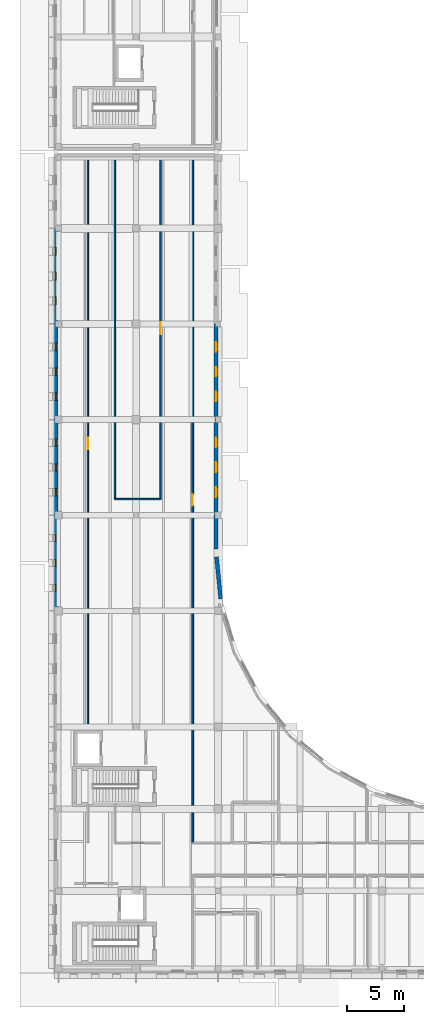
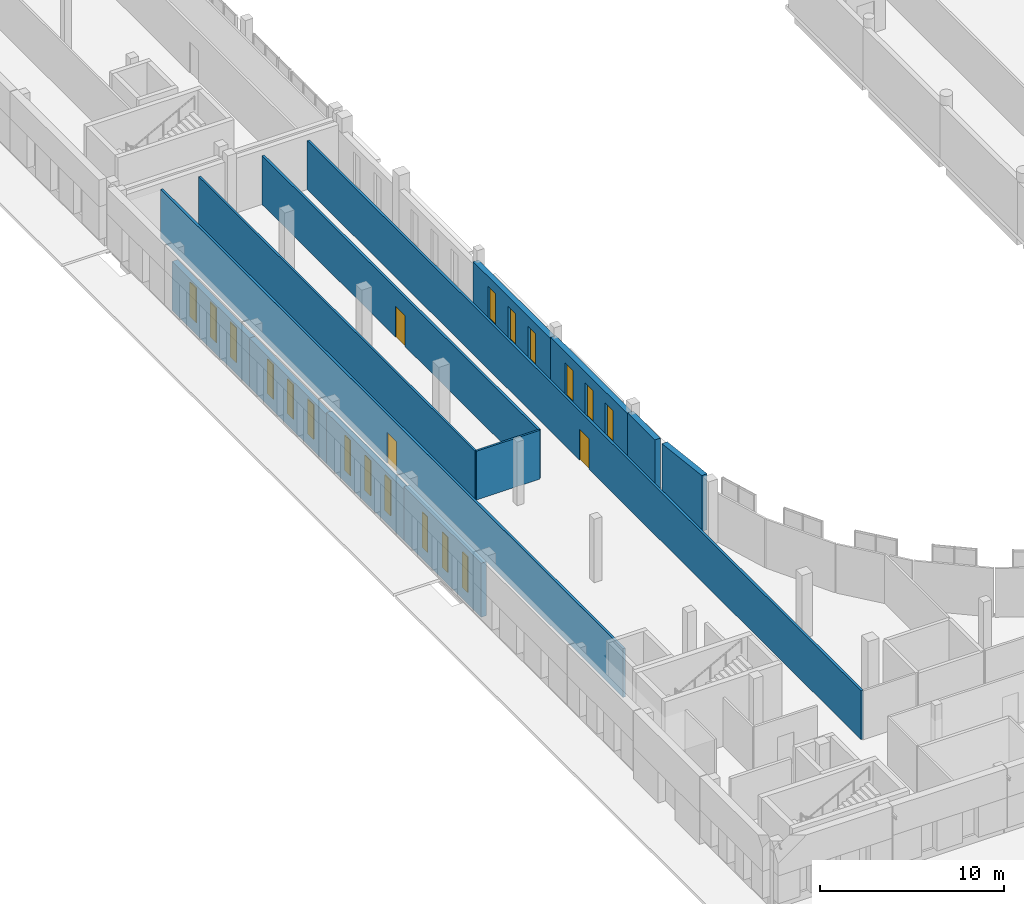
# One storey, part 51 of 77: 18 windows, 13 walls, 3 doors, 21 openings.
"""IFC4 building model written with IfcOpenShell, lengths in metres."""

import ifcopenshell
import ifcopenshell.guid

model = None  # the IFC model being written
_history = None  # IfcOwnerHistory: only IFC2X3 demands one
_inside = {}  # id of a spatial element -> (the spatial element, [elements in it])
_under = {}  # id of a project, library or spatial element -> (it, [spatial elements below it])
_declared = {}  # id of a project -> (the project, [libraries it declares])
_typed = {}  # id of a type object -> (the type object, [elements of that type])
_made_of = {}  # id of a material, layer set ... -> (it, [elements and type objects made of it])


def new_model(schema):
    """Start an empty IFC model of exactly this schema.

    Asked for "IFC4X3", IfcOpenShell would pick the latest addendum, in which some entities
    have other attributes; the version numbers below select the first issue.
    IFC2X3 requires an IfcOwnerHistory on every rooted entity: one is made here for all.
    """
    global model, _history
    if schema == "IFC4X3":
        model = ifcopenshell.file(schema_version=(4, 3, 0, 0))
    else:
        model = ifcopenshell.file(schema=schema)
    _inside.clear()
    _under.clear()
    _declared.clear()
    _typed.clear()
    _made_of.clear()
    _history = None
    if model.schema == "IFC2X3":
        org = make("IfcOrganization", Name="unknown")
        user = make(
            "IfcPersonAndOrganization",
            ThePerson=make("IfcPerson", FamilyName="unknown"),
            TheOrganization=org,
        )
        app = make(
            "IfcApplication",
            ApplicationDeveloper=org,
            Version="unknown",
            ApplicationFullName="unknown",
            ApplicationIdentifier="unknown",
        )
        _history = make(
            "IfcOwnerHistory",
            OwningUser=user,
            OwningApplication=app,
            ChangeAction="ADDED",
            CreationDate=0,
        )
    return model


def make(cls, **values):
    """One entity of the class cls with the attributes given. An attribute that is None is left unset."""
    return model.create_entity(
        cls, **{name: value for name, value in values.items() if value is not None}
    )


def rooted(cls, **values):
    """An entity with a GlobalId (a new one), such as an element, a storey or a relation."""
    return make(cls, GlobalId=ifcopenshell.guid.new(), OwnerHistory=_history, **values)


def si_unit(unit_type, name, prefix=None):
    """IfcSIUnit, for example si_unit("LENGTHUNIT", "METRE", prefix="MILLI")."""
    return make("IfcSIUnit", UnitType=unit_type, Prefix=prefix, Name=name)


def assignment(units):
    """IfcUnitAssignment: the units of a project."""
    return None if units is None else make("IfcUnitAssignment", Units=units)


def point(xyz):
    """IfcCartesianPoint."""
    return None if xyz is None else make("IfcCartesianPoint", Coordinates=xyz)


def direction(xyz):
    """IfcDirection."""
    return None if xyz is None else make("IfcDirection", DirectionRatios=xyz)


def frame(location, z_axis=None, x_axis=None):
    """IfcAxis2Placement3D, a coordinate frame: its origin and axes. An axis left out is left unset."""
    return make(
        "IfcAxis2Placement3D",
        Location=point(location),
        Axis=direction(z_axis),
        RefDirection=direction(x_axis),
    )


def frame_2d(location, x_axis=None):
    """IfcAxis2Placement2D, a coordinate frame in the plane: its origin and x axis."""
    return make(
        "IfcAxis2Placement2D", Location=point(location), RefDirection=direction(x_axis)
    )


def origin():
    """The frame at (0, 0, 0) with its axes left unset."""
    return frame((0.0, 0.0, 0.0))


def place(relative_to, where):
    """IfcLocalPlacement: puts the frame where relative to a parent placement (None: the world)."""
    return make(
        "IfcLocalPlacement", PlacementRelTo=relative_to, RelativePlacement=where
    )


def context(
    kind, dimensions, precision=None, world=None, true_north=None, identifier=None
):
    """IfcGeometricRepresentationContext, for example the 3D "Model" context."""
    return make(
        "IfcGeometricRepresentationContext",
        ContextIdentifier=identifier,
        ContextType=kind,
        CoordinateSpaceDimension=dimensions,
        Precision=precision,
        WorldCoordinateSystem=world,
        TrueNorth=true_north,
    )


def subcontext(parent, identifier, kind, view, scale=None):
    """IfcGeometricRepresentationSubContext, for example "Body" below "Model"."""
    return make(
        "IfcGeometricRepresentationSubContext",
        ContextIdentifier=identifier,
        ContextType=kind,
        ParentContext=parent,
        TargetScale=scale,
        TargetView=view,
    )


def project(units=None, contexts=None):
    """IfcProject with its units and contexts."""
    return rooted(
        "IfcProject",
        Name="project",
        RepresentationContexts=contexts,
        UnitsInContext=assignment(units),
    )


def spatial(cls, under=None, at=None, **own):
    """A site, building, storey or space (cls), placed at a placement, below another one or the project."""
    s = rooted(cls, ObjectPlacement=at, **own)
    if under is not None:
        _under.setdefault(under.id(), (under, []))[1].append(s)
    return s


def profile(cls, at=None, kind="AREA", **sizes):
    """A parametric profile (cls). Its sizes go by their IFC names, for example OverallWidth=200.0."""
    return make(cls, ProfileType=kind, Position=at, **sizes)


def rectangle(**sizes):
    """IfcRectangleProfileDef."""
    return profile("IfcRectangleProfileDef", **sizes)


def extrude(swept, where, along, depth):
    """IfcExtrudedAreaSolid: the profile swept, set in the frame where, extruded along a direction by depth."""
    return make(
        "IfcExtrudedAreaSolid",
        SweptArea=swept,
        Position=where,
        ExtrudedDirection=direction(along),
        Depth=depth,
    )


def shape(context_of_items, identifier, shape_type, items):
    """IfcShapeRepresentation: the items that make up one representation, for example the "Body"."""
    return make(
        "IfcShapeRepresentation",
        ContextOfItems=context_of_items,
        RepresentationIdentifier=identifier,
        RepresentationType=shape_type,
        Items=items,
    )


def material(Name=None, Category=None):
    """IfcMaterial."""
    return make("IfcMaterial", Name=Name, Category=Category)


def layer(
    of_material, thickness, ventilated=None, Name=None, Category=None, Priority=None
):
    """IfcMaterialLayer: one layer of a wall or slab, of a material (None: an air gap)."""
    return make(
        "IfcMaterialLayer",
        Material=of_material,
        LayerThickness=thickness,
        IsVentilated=ventilated,
        Name=Name,
        Category=Category,
        Priority=Priority,
    )


def layer_set(layers, Name=None):
    """IfcMaterialLayerSet."""
    return make("IfcMaterialLayerSet", MaterialLayers=layers, LayerSetName=Name)


def made_of(thing, what):
    """Note that an element or type object is made of a material, layer set ...; save() writes the relation."""
    if what is not None:
        _made_of.setdefault(what.id(), (what, []))[1].append(thing)
    return thing


def type_object(cls, material=None, **own):
    """A type object (cls), such as IfcWallType, which elements share."""
    return made_of(rooted(cls, **own), material)


def element(
    cls,
    number,
    at=None,
    inside=None,
    cuts=None,
    type_object=None,
    material=None,
    context=None,
    identifier="Body",
    shape_type=None,
    held_by="IfcProductDefinitionShape",
    body=None,
    shapes=None,
    **own,
):
    """One element of the class cls, such as IfcWall. Its Tag is "e" and its number.

    at: its placement. inside: the storey or other place that contains it. cuts: it is an
    opening in that element (IfcRelVoidsElement). A single representation is given by context,
    identifier, shape_type and body (its items); several are given by shapes. held_by: the class
    of the entity that holds the representations. save() writes the other relations.
    """
    e = rooted(cls, Tag="e%d" % number, ObjectPlacement=at, **own)
    if body is not None:
        shapes = [shape(context, identifier, shape_type, body)]
    if shapes is not None:
        e.Representation = make(held_by, Representations=shapes)
    if inside is not None:
        _inside.setdefault(inside.id(), (inside, []))[1].append(e)
    if cuts is not None:
        rooted(
            "IfcRelVoidsElement", RelatingBuildingElement=cuts, RelatedOpeningElement=e
        )
    if type_object is not None:
        _typed.setdefault(type_object.id(), (type_object, []))[1].append(e)
    return made_of(e, material)


def fill(opening, filler):
    """IfcRelFillsElement: the door or window that sits in an opening."""
    return rooted(
        "IfcRelFillsElement",
        RelatingOpeningElement=opening,
        RelatedBuildingElement=filler,
    )


def aggregate(whole, parts):
    """IfcRelAggregates: a whole, such as a stair, and the parts it consists of."""
    return rooted("IfcRelAggregates", RelatingObject=whole, RelatedObjects=parts)


def save(model, path):
    """Write the relations noted so far, then the file.

    IfcRelAggregates (storeys below a building ...), IfcRelContainedInSpatialStructure (elements
    in a storey), IfcRelDefinesByType, IfcRelAssociatesMaterial and IfcRelDeclares: one each for
    every whole, place, type object, material and project.
    """
    for whole, parts in _under.values():
        aggregate(whole, parts)
    for where, things in _inside.values():
        rooted(
            "IfcRelContainedInSpatialStructure",
            RelatedElements=things,
            RelatingStructure=where,
        )
    for kind, things in _typed.values():
        rooted("IfcRelDefinesByType", RelatedObjects=things, RelatingType=kind)
    for what, things in _made_of.values():
        rooted("IfcRelAssociatesMaterial", RelatedObjects=things, RelatingMaterial=what)
    for by, libraries in _declared.values():
        rooted("IfcRelDeclares", RelatingContext=by, RelatedDefinitions=libraries)
    model.write(path)


model = new_model("IFC4")

# Units and contexts
model_context = context("Model", 3, precision=1e-05, world=origin(), true_north=direction((0.0, 1.0)))
body_context = subcontext(model_context, "Body", "Model", "MODEL_VIEW")
ifc_project = project(units=[si_unit("LENGTHUNIT", "METRE"), si_unit("AREAUNIT", "SQUARE_METRE"), si_unit("VOLUMEUNIT", "CUBIC_METRE"), si_unit("PLANEANGLEUNIT", "RADIAN"), si_unit("MASSUNIT", "GRAM", prefix="KILO")], contexts=[model_context])

# Site, building, storey
site_placement = place(None, origin())
site = spatial("IfcSite", under=ifc_project, at=site_placement, CompositionType="ELEMENT")
building_placement = place(site_placement, origin())
building = spatial("IfcBuilding", under=site, at=building_placement, Name="Vardoun Plaza Health Centre", CompositionType="ELEMENT")
storey_placement = place(building_placement, origin())
storey = spatial("IfcBuildingStorey", under=building, at=storey_placement, Name="L00", CompositionType="ELEMENT", Elevation=0.0)

# Wall, openings, windows
ifc_material_1 = material(Name="Pale Limestone Concrete C35/45", Category="masonry")
ifc_layer_1 = layer(ifc_material_1, 0.344970703125)
ifc_layer_set_1 = layer_set([ifc_layer_1], Name="Pale Limestone Concrete C35/45")
wall_type_1 = type_object("IfcWallType", Name="EW-01", PredefinedType="SOLIDWALL", material=ifc_layer_set_1)
wall_1_placement = place(storey_placement, frame((18.7275390625, 61.5, 0.0), z_axis=(0.0, 0.0, 1.0), x_axis=(0.0, -1.0, 0.0)))
wall_1 = element("IfcWall", 1, at=wall_1_placement, inside=storey, type_object=wall_type_1, Name="V2 L00 Exterior Wall EW-V2-076", PredefinedType="SOLIDWALL", context=body_context, shape_type="SweptSolid", body=[
    extrude(rectangle(XDim=8.39990234375, YDim=0.344970703125, at=frame_2d((4.199951171875, 0.0))), origin(), (0.0, 0.0, 1.0), 3.405029296875),
])
opening_1_placement = place(wall_1_placement, frame((1.60595703125, 0.0, 0.550048828125)))
opening_1 = element("IfcOpeningElement", 2, at=opening_1_placement, cuts=wall_1, Name="Opening W-07-001", PredefinedType="OPENING", context=body_context, shape_type="SweptSolid", body=[
    extrude(rectangle(XDim=0.820068359375, YDim=2.199951171875, at=frame_2d((0.41015625, 1.10009765625))), frame((0.0, 0.17236328125, 0.0), z_axis=(0.0, -1.0, 0.0), x_axis=(1.0, 0.0, 0.0)), (0.0, 0.0, 1.0), 0.344970703125),
])
opening_2_placement = place(wall_1_placement, frame((3.7900390625, 0.0, 0.550048828125)))
opening_2 = element("IfcOpeningElement", 3, at=opening_2_placement, cuts=wall_1, Name="Opening W-07-002", PredefinedType="OPENING", context=body_context, shape_type="SweptSolid", body=[
    extrude(rectangle(XDim=0.820068359375, YDim=2.199951171875, at=frame_2d((0.41015625, 1.10009765625))), frame((0.0, 0.17236328125, 0.0), z_axis=(0.0, -1.0, 0.0), x_axis=(1.0, 0.0, 0.0)), (0.0, 0.0, 1.0), 0.344970703125),
])
opening_3_placement = place(wall_1_placement, frame((5.97412109375, 0.0, 0.550048828125)))
opening_3 = element("IfcOpeningElement", 4, at=opening_3_placement, cuts=wall_1, Name="Opening W-07-003", PredefinedType="OPENING", context=body_context, shape_type="SweptSolid", body=[
    extrude(rectangle(XDim=0.820068359375, YDim=2.199951171875, at=frame_2d((0.41015625, 1.10009765625))), frame((0.0, 0.17236328125, 0.0), z_axis=(0.0, -1.0, 0.0), x_axis=(1.0, 0.0, 0.0)), (0.0, 0.0, 1.0), 0.344970703125),
])
ifc_material_2 = material(Name="Aluminium Alloy EN AW-6063-T6 and Low-E Glass", Category="aluminium")
window_type_1 = type_object("IfcWindowType", Name="W-07", PartitioningType="SINGLE_PANEL", PredefinedType="WINDOW", material=ifc_material_2)
window_1_placement = place(opening_1_placement, origin())
window_1 = element("IfcWindow", 5, at=window_1_placement, inside=storey, type_object=window_type_1, Name="V2 L00 Deep-Punched Slot Window W-07-006", OverallHeight=2.199951171875, OverallWidth=0.820068359375, PartitioningType="SINGLE_PANEL", PredefinedType="WINDOW", context=body_context, shape_type="SweptSolid", body=[
    extrude(rectangle(XDim=0.820068359375, YDim=2.199951171875, at=frame_2d((0.41015625, 1.10009765625))), frame((0.0, 0.030029296875, 0.0), z_axis=(0.0, -1.0, 0.0), x_axis=(1.0, 0.0, 0.0)), (0.0, 0.0, 1.0), 0.06005859375),
])
fill(opening_1, window_1)
window_2_placement = place(opening_2_placement, origin())
window_2 = element("IfcWindow", 6, at=window_2_placement, inside=storey, type_object=window_type_1, Name="V2 L00 Deep-Punched Slot Window W-07-007", OverallHeight=2.199951171875, OverallWidth=0.820068359375, PartitioningType="SINGLE_PANEL", PredefinedType="WINDOW", context=body_context, shape_type="SweptSolid", body=[
    extrude(rectangle(XDim=0.820068359375, YDim=2.199951171875, at=frame_2d((0.41015625, 1.10009765625))), frame((0.0, 0.030029296875, 0.0), z_axis=(0.0, -1.0, 0.0), x_axis=(1.0, 0.0, 0.0)), (0.0, 0.0, 1.0), 0.06005859375),
])
fill(opening_2, window_2)
window_3_placement = place(opening_3_placement, origin())
window_3 = element("IfcWindow", 7, at=window_3_placement, inside=storey, type_object=window_type_1, Name="V2 L00 Deep-Punched Slot Window W-07-008", OverallHeight=2.199951171875, OverallWidth=0.820068359375, PartitioningType="SINGLE_PANEL", PredefinedType="WINDOW", context=body_context, shape_type="SweptSolid", body=[
    extrude(rectangle(XDim=0.820068359375, YDim=2.199951171875, at=frame_2d((0.41015625, 1.10009765625))), frame((0.0, 0.030029296875, 0.0), z_axis=(0.0, -1.0, 0.0), x_axis=(1.0, 0.0, 0.0)), (0.0, 0.0, 1.0), 0.06005859375),
])
fill(opening_3, window_3)

wall_2_placement = place(storey_placement, frame((18.7275390625, 53.10009765625, 0.0), z_axis=(0.0, 0.0, 1.0), x_axis=(0.0, -1.0, 0.0)))
wall_2 = element("IfcWall", 8, at=wall_2_placement, inside=storey, type_object=wall_type_1, Name="V2 L00 Exterior Wall EW-V2-077", PredefinedType="SOLIDWALL", context=body_context, shape_type="SweptSolid", body=[
    extrude(rectangle(XDim=8.400146484375, YDim=0.344970703125, at=frame_2d((4.2001953125, 0.0))), origin(), (0.0, 0.0, 1.0), 3.485107421875),
])
opening_4_placement = place(wall_2_placement, frame((1.5859375, 0.0, 0.550048828125)))
opening_4 = element("IfcOpeningElement", 9, at=opening_4_placement, cuts=wall_2, Name="Opening W-08-001", PredefinedType="OPENING", context=body_context, shape_type="SweptSolid", body=[
    extrude(rectangle(XDim=0.860107421875, YDim=2.199951171875, at=frame_2d((0.43017578125, 1.10009765625))), frame((0.0, 0.17236328125, 0.0), z_axis=(0.0, -1.0, 0.0), x_axis=(1.0, 0.0, 0.0)), (0.0, 0.0, 1.0), 0.344970703125),
])
opening_5_placement = place(wall_2_placement, frame((3.77001953125, 0.0, 0.550048828125)))
opening_5 = element("IfcOpeningElement", 10, at=opening_5_placement, cuts=wall_2, Name="Opening W-08-002", PredefinedType="OPENING", context=body_context, shape_type="SweptSolid", body=[
    extrude(rectangle(XDim=0.860107421875, YDim=2.199951171875, at=frame_2d((0.43017578125, 1.10009765625))), frame((0.0, 0.17236328125, 0.0), z_axis=(0.0, -1.0, 0.0), x_axis=(1.0, 0.0, 0.0)), (0.0, 0.0, 1.0), 0.344970703125),
])
opening_6_placement = place(wall_2_placement, frame((5.9541015625, 0.0, 0.550048828125)))
opening_6 = element("IfcOpeningElement", 11, at=opening_6_placement, cuts=wall_2, Name="Opening W-08-003", PredefinedType="OPENING", context=body_context, shape_type="SweptSolid", body=[
    extrude(rectangle(XDim=0.860107421875, YDim=2.199951171875, at=frame_2d((0.43017578125, 1.10009765625))), frame((0.0, 0.17236328125, 0.0), z_axis=(0.0, -1.0, 0.0), x_axis=(1.0, 0.0, 0.0)), (0.0, 0.0, 1.0), 0.344970703125),
])
ifc_material_3 = material(Name="Aluminium Alloy EN AW-6063-T6 and Low-E Glass", Category="aluminium")
window_type_2 = type_object("IfcWindowType", Name="W-08", PartitioningType="SINGLE_PANEL", PredefinedType="WINDOW", material=ifc_material_3)
window_4_placement = place(opening_4_placement, origin())
window_4 = element("IfcWindow", 12, at=window_4_placement, inside=storey, type_object=window_type_2, Name="V2 L00 Deep-Punched Slot Window W-08-009", OverallHeight=2.199951171875, OverallWidth=0.860107421875, PartitioningType="SINGLE_PANEL", PredefinedType="WINDOW", context=body_context, shape_type="SweptSolid", body=[
    extrude(rectangle(XDim=0.860107421875, YDim=2.199951171875, at=frame_2d((0.43017578125, 1.10009765625))), frame((0.0, 0.030029296875, 0.0), z_axis=(0.0, -1.0, 0.0), x_axis=(1.0, 0.0, 0.0)), (0.0, 0.0, 1.0), 0.06005859375),
])
fill(opening_4, window_4)
window_5_placement = place(opening_5_placement, origin())
window_5 = element("IfcWindow", 13, at=window_5_placement, inside=storey, type_object=window_type_2, Name="V2 L00 Deep-Punched Slot Window W-08-010", OverallHeight=2.199951171875, OverallWidth=0.860107421875, PartitioningType="SINGLE_PANEL", PredefinedType="WINDOW", context=body_context, shape_type="SweptSolid", body=[
    extrude(rectangle(XDim=0.860107421875, YDim=2.199951171875, at=frame_2d((0.43017578125, 1.10009765625))), frame((0.0, 0.030029296875, 0.0), z_axis=(0.0, -1.0, 0.0), x_axis=(1.0, 0.0, 0.0)), (0.0, 0.0, 1.0), 0.06005859375),
])
fill(opening_5, window_5)
window_6_placement = place(opening_6_placement, origin())
window_6 = element("IfcWindow", 14, at=window_6_placement, inside=storey, type_object=window_type_2, Name="V2 L00 Deep-Punched Slot Window W-08-011", OverallHeight=2.199951171875, OverallWidth=0.860107421875, PartitioningType="SINGLE_PANEL", PredefinedType="WINDOW", context=body_context, shape_type="SweptSolid", body=[
    extrude(rectangle(XDim=0.860107421875, YDim=2.199951171875, at=frame_2d((0.43017578125, 1.10009765625))), frame((0.0, 0.030029296875, 0.0), z_axis=(0.0, -1.0, 0.0), x_axis=(1.0, 0.0, 0.0)), (0.0, 0.0, 1.0), 0.06005859375),
])
fill(opening_6, window_6)

# Walls
wall_3_placement = place(storey_placement, frame((18.7275390625, 44.699951171875, 0.0), z_axis=(0.0, 0.0, 1.0), x_axis=(0.0, -1.0, 0.0)))
element("IfcWall", 15, at=wall_3_placement, inside=storey, type_object=wall_type_1, Name="V2 L00 Exterior Wall EW-V2-078", PredefinedType="SOLIDWALL", context=body_context, shape_type="SweptSolid", body=[
    extrude(rectangle(XDim=2.954833984375, YDim=0.344970703125, at=frame_2d((1.4775390625, 0.0))), origin(), (0.0, 0.0, 1.0), 3.554931640625),
])
wall_4_placement = place(storey_placement, frame((18.76220703125, 41.039794921875, 0.0), z_axis=(0.0, 0.0, 1.0), x_axis=(0.097963909948, -0.99518996797, 0.0)))
element("IfcWall", 16, at=wall_4_placement, inside=storey, type_object=wall_type_1, Name="V2 L00 Exterior Wall EW-V2-079", PredefinedType="SOLIDWALL", context=body_context, shape_type="SweptSolid", body=[
    extrude(rectangle(XDim=3.720703125, YDim=0.344970703125, at=frame_2d((1.8603515625, 0.0))), origin(), (0.0, 0.0, 1.0), 3.72509765625),
])

# Wall, openings, windows
wall_5_placement = place(storey_placement, frame((4.672607421875, 36.300048828125, 0.0), z_axis=(0.0, 0.0, 1.0), x_axis=(0.0, 1.0, 0.0)))
wall_5 = element("IfcWall", 17, at=wall_5_placement, inside=storey, type_object=wall_type_1, Name="V2 L00 Exterior Wall EW-V2-094", PredefinedType="SOLIDWALL", context=body_context, shape_type="SweptSolid", body=[
    extrude(rectangle(XDim=8.39990234375, YDim=0.344970703125, at=frame_2d((4.199951171875, 0.0))), origin(), (0.0, 0.0, 1.0), 3.5849609375),
])
opening_7_placement = place(wall_5_placement, frame((1.72607421875, 0.0, 0.550048828125)))
opening_7 = element("IfcOpeningElement", 18, at=opening_7_placement, cuts=wall_5, Name="Opening W-01-001", PredefinedType="OPENING", context=body_context, shape_type="SweptSolid", body=[
    extrude(rectangle(XDim=0.580078125, YDim=2.35009765625, at=frame_2d((0.2900390625, 1.175048828125))), frame((0.0, 0.17236328125, 0.0), z_axis=(0.0, -1.0, 0.0), x_axis=(1.0, 0.0, 0.0)), (0.0, 0.0, 1.0), 0.344970703125),
])
opening_8_placement = place(wall_5_placement, frame((3.909912109375, 0.0, 0.550048828125)))
opening_8 = element("IfcOpeningElement", 19, at=opening_8_placement, cuts=wall_5, Name="Opening W-01-002", PredefinedType="OPENING", context=body_context, shape_type="SweptSolid", body=[
    extrude(rectangle(XDim=0.580078125, YDim=2.35009765625, at=frame_2d((0.2900390625, 1.175048828125))), frame((0.0, 0.17236328125, 0.0), z_axis=(0.0, -1.0, 0.0), x_axis=(1.0, 0.0, 0.0)), (0.0, 0.0, 1.0), 0.344970703125),
])
opening_9_placement = place(wall_5_placement, frame((6.093994140625, 0.0, 0.550048828125)))
opening_9 = element("IfcOpeningElement", 20, at=opening_9_placement, cuts=wall_5, Name="Opening W-01-003", PredefinedType="OPENING", context=body_context, shape_type="SweptSolid", body=[
    extrude(rectangle(XDim=0.580078125, YDim=2.35009765625, at=frame_2d((0.2900390625, 1.175048828125))), frame((0.0, 0.17236328125, 0.0), z_axis=(0.0, -1.0, 0.0), x_axis=(1.0, 0.0, 0.0)), (0.0, 0.0, 1.0), 0.344970703125),
])
ifc_material_4 = material(Name="Aluminium Alloy EN AW-6063-T6 and Low-E Glass", Category="aluminium")
window_type_3 = type_object("IfcWindowType", Name="W-01", PartitioningType="SINGLE_PANEL", PredefinedType="WINDOW", material=ifc_material_4)
window_7_placement = place(opening_7_placement, origin())
window_7 = element("IfcWindow", 21, at=window_7_placement, inside=storey, type_object=window_type_3, Name="V2 L00 Deep-Punched Slot Window W-01-038", OverallHeight=2.35009765625, OverallWidth=0.580078125, PartitioningType="SINGLE_PANEL", PredefinedType="WINDOW", context=body_context, shape_type="SweptSolid", body=[
    extrude(rectangle(XDim=0.580078125, YDim=2.35009765625, at=frame_2d((0.2900390625, 1.175048828125))), frame((0.0, 0.030029296875, 0.0), z_axis=(0.0, -1.0, 0.0), x_axis=(1.0, 0.0, 0.0)), (0.0, 0.0, 1.0), 0.06005859375),
])
fill(opening_7, window_7)
window_8_placement = place(opening_8_placement, origin())
window_8 = element("IfcWindow", 22, at=window_8_placement, inside=storey, type_object=window_type_3, Name="V2 L00 Deep-Punched Slot Window W-01-039", OverallHeight=2.35009765625, OverallWidth=0.580078125, PartitioningType="SINGLE_PANEL", PredefinedType="WINDOW", context=body_context, shape_type="SweptSolid", body=[
    extrude(rectangle(XDim=0.580078125, YDim=2.35009765625, at=frame_2d((0.2900390625, 1.175048828125))), frame((0.0, 0.030029296875, 0.0), z_axis=(0.0, -1.0, 0.0), x_axis=(1.0, 0.0, 0.0)), (0.0, 0.0, 1.0), 0.06005859375),
])
fill(opening_8, window_8)
window_9_placement = place(opening_9_placement, origin())
window_9 = element("IfcWindow", 23, at=window_9_placement, inside=storey, type_object=window_type_3, Name="V2 L00 Deep-Punched Slot Window W-01-040", OverallHeight=2.35009765625, OverallWidth=0.580078125, PartitioningType="SINGLE_PANEL", PredefinedType="WINDOW", context=body_context, shape_type="SweptSolid", body=[
    extrude(rectangle(XDim=0.580078125, YDim=2.35009765625, at=frame_2d((0.2900390625, 1.175048828125))), frame((0.0, 0.030029296875, 0.0), z_axis=(0.0, -1.0, 0.0), x_axis=(1.0, 0.0, 0.0)), (0.0, 0.0, 1.0), 0.06005859375),
])
fill(opening_9, window_9)

wall_6_placement = place(storey_placement, frame((4.672607421875, 44.699951171875, 0.0), z_axis=(0.0, 0.0, 1.0), x_axis=(0.0, 1.0, 0.0)))
wall_6 = element("IfcWall", 24, at=wall_6_placement, inside=storey, type_object=wall_type_1, Name="V2 L00 Exterior Wall EW-V2-095", PredefinedType="SOLIDWALL", context=body_context, shape_type="SweptSolid", body=[
    extrude(rectangle(XDim=8.400146484375, YDim=0.344970703125, at=frame_2d((4.2001953125, 0.0))), origin(), (0.0, 0.0, 1.0), 3.405029296875),
])
opening_10_placement = place(wall_6_placement, frame((1.7060546875, 0.0, 0.550048828125)))
opening_10 = element("IfcOpeningElement", 25, at=opening_10_placement, cuts=wall_6, Name="Opening W-02-001", PredefinedType="OPENING", context=body_context, shape_type="SweptSolid", body=[
    extrude(rectangle(XDim=0.6201171875, YDim=2.35009765625, at=frame_2d((0.31005859375, 1.175048828125))), frame((0.0, 0.17236328125, 0.0), z_axis=(0.0, -1.0, 0.0), x_axis=(1.0, 0.0, 0.0)), (0.0, 0.0, 1.0), 0.344970703125),
])
opening_11_placement = place(wall_6_placement, frame((3.889892578125, 0.0, 0.550048828125)))
opening_11 = element("IfcOpeningElement", 26, at=opening_11_placement, cuts=wall_6, Name="Opening W-02-002", PredefinedType="OPENING", context=body_context, shape_type="SweptSolid", body=[
    extrude(rectangle(XDim=0.6201171875, YDim=2.35009765625, at=frame_2d((0.31005859375, 1.175048828125))), frame((0.0, 0.17236328125, 0.0), z_axis=(0.0, -1.0, 0.0), x_axis=(1.0, 0.0, 0.0)), (0.0, 0.0, 1.0), 0.344970703125),
])
opening_12_placement = place(wall_6_placement, frame((6.073974609375, 0.0, 0.550048828125)))
opening_12 = element("IfcOpeningElement", 27, at=opening_12_placement, cuts=wall_6, Name="Opening W-02-003", PredefinedType="OPENING", context=body_context, shape_type="SweptSolid", body=[
    extrude(rectangle(XDim=0.6201171875, YDim=2.35009765625, at=frame_2d((0.31005859375, 1.175048828125))), frame((0.0, 0.17236328125, 0.0), z_axis=(0.0, -1.0, 0.0), x_axis=(1.0, 0.0, 0.0)), (0.0, 0.0, 1.0), 0.344970703125),
])
ifc_material_5 = material(Name="Aluminium Alloy EN AW-6063-T6 and Low-E Glass", Category="aluminium")
window_type_4 = type_object("IfcWindowType", Name="W-02", PartitioningType="SINGLE_PANEL", PredefinedType="WINDOW", material=ifc_material_5)
window_10_placement = place(opening_10_placement, origin())
window_10 = element("IfcWindow", 28, at=window_10_placement, inside=storey, type_object=window_type_4, Name="V2 L00 Deep-Punched Slot Window W-02-041", OverallHeight=2.35009765625, OverallWidth=0.6201171875, PartitioningType="SINGLE_PANEL", PredefinedType="WINDOW", context=body_context, shape_type="SweptSolid", body=[
    extrude(rectangle(XDim=0.6201171875, YDim=2.35009765625, at=frame_2d((0.31005859375, 1.175048828125))), frame((0.0, 0.030029296875, 0.0), z_axis=(0.0, -1.0, 0.0), x_axis=(1.0, 0.0, 0.0)), (0.0, 0.0, 1.0), 0.06005859375),
])
fill(opening_10, window_10)
window_11_placement = place(opening_11_placement, origin())
window_11 = element("IfcWindow", 29, at=window_11_placement, inside=storey, type_object=window_type_4, Name="V2 L00 Deep-Punched Slot Window W-02-042", OverallHeight=2.35009765625, OverallWidth=0.6201171875, PartitioningType="SINGLE_PANEL", PredefinedType="WINDOW", context=body_context, shape_type="SweptSolid", body=[
    extrude(rectangle(XDim=0.6201171875, YDim=2.35009765625, at=frame_2d((0.31005859375, 1.175048828125))), frame((0.0, 0.030029296875, 0.0), z_axis=(0.0, -1.0, 0.0), x_axis=(1.0, 0.0, 0.0)), (0.0, 0.0, 1.0), 0.06005859375),
])
fill(opening_11, window_11)
window_12_placement = place(opening_12_placement, origin())
window_12 = element("IfcWindow", 30, at=window_12_placement, inside=storey, type_object=window_type_4, Name="V2 L00 Deep-Punched Slot Window W-02-043", OverallHeight=2.35009765625, OverallWidth=0.6201171875, PartitioningType="SINGLE_PANEL", PredefinedType="WINDOW", context=body_context, shape_type="SweptSolid", body=[
    extrude(rectangle(XDim=0.6201171875, YDim=2.35009765625, at=frame_2d((0.31005859375, 1.175048828125))), frame((0.0, 0.030029296875, 0.0), z_axis=(0.0, -1.0, 0.0), x_axis=(1.0, 0.0, 0.0)), (0.0, 0.0, 1.0), 0.06005859375),
])
fill(opening_12, window_12)

wall_7_placement = place(storey_placement, frame((4.672607421875, 53.10009765625, 0.0), z_axis=(0.0, 0.0, 1.0), x_axis=(0.0, 1.0, 0.0)))
wall_7 = element("IfcWall", 31, at=wall_7_placement, inside=storey, type_object=wall_type_1, Name="V2 L00 Exterior Wall EW-V2-096", PredefinedType="SOLIDWALL", context=body_context, shape_type="SweptSolid", body=[
    extrude(rectangle(XDim=8.39990234375, YDim=0.344970703125, at=frame_2d((4.199951171875, 0.0))), origin(), (0.0, 0.0, 1.0), 3.2548828125),
])
opening_13_placement = place(wall_7_placement, frame((1.68603515625, 0.0, 0.550048828125)))
opening_13 = element("IfcOpeningElement", 32, at=opening_13_placement, cuts=wall_7, Name="Opening W-03-001", PredefinedType="OPENING", context=body_context, shape_type="SweptSolid", body=[
    extrude(rectangle(XDim=0.659912109375, YDim=2.300048828125, at=frame_2d((0.330078125, 1.14990234375))), frame((0.0, 0.17236328125, 0.0), z_axis=(0.0, -1.0, 0.0), x_axis=(1.0, 0.0, 0.0)), (0.0, 0.0, 1.0), 0.344970703125),
])
opening_14_placement = place(wall_7_placement, frame((3.8701171875, 0.0, 0.550048828125)))
opening_14 = element("IfcOpeningElement", 33, at=opening_14_placement, cuts=wall_7, Name="Opening W-03-002", PredefinedType="OPENING", context=body_context, shape_type="SweptSolid", body=[
    extrude(rectangle(XDim=0.659912109375, YDim=2.300048828125, at=frame_2d((0.330078125, 1.14990234375))), frame((0.0, 0.17236328125, 0.0), z_axis=(0.0, -1.0, 0.0), x_axis=(1.0, 0.0, 0.0)), (0.0, 0.0, 1.0), 0.344970703125),
])
opening_15_placement = place(wall_7_placement, frame((6.053955078125, 0.0, 0.550048828125)))
opening_15 = element("IfcOpeningElement", 34, at=opening_15_placement, cuts=wall_7, Name="Opening W-03-003", PredefinedType="OPENING", context=body_context, shape_type="SweptSolid", body=[
    extrude(rectangle(XDim=0.659912109375, YDim=2.300048828125, at=frame_2d((0.330078125, 1.14990234375))), frame((0.0, 0.17236328125, 0.0), z_axis=(0.0, -1.0, 0.0), x_axis=(1.0, 0.0, 0.0)), (0.0, 0.0, 1.0), 0.344970703125),
])
ifc_material_6 = material(Name="Aluminium Alloy EN AW-6063-T6 and Low-E Glass", Category="aluminium")
window_type_5 = type_object("IfcWindowType", Name="W-03", PartitioningType="SINGLE_PANEL", PredefinedType="WINDOW", material=ifc_material_6)
window_13_placement = place(opening_13_placement, origin())
window_13 = element("IfcWindow", 35, at=window_13_placement, inside=storey, type_object=window_type_5, Name="V2 L00 Deep-Punched Slot Window W-03-044", OverallHeight=2.300048828125, OverallWidth=0.659912109375, PartitioningType="SINGLE_PANEL", PredefinedType="WINDOW", context=body_context, shape_type="SweptSolid", body=[
    extrude(rectangle(XDim=0.659912109375, YDim=2.300048828125, at=frame_2d((0.330078125, 1.14990234375))), frame((0.0, 0.030029296875, 0.0), z_axis=(0.0, -1.0, 0.0), x_axis=(1.0, 0.0, 0.0)), (0.0, 0.0, 1.0), 0.06005859375),
])
fill(opening_13, window_13)
window_14_placement = place(opening_14_placement, origin())
window_14 = element("IfcWindow", 36, at=window_14_placement, inside=storey, type_object=window_type_5, Name="V2 L00 Deep-Punched Slot Window W-03-045", OverallHeight=2.300048828125, OverallWidth=0.659912109375, PartitioningType="SINGLE_PANEL", PredefinedType="WINDOW", context=body_context, shape_type="SweptSolid", body=[
    extrude(rectangle(XDim=0.659912109375, YDim=2.300048828125, at=frame_2d((0.330078125, 1.14990234375))), frame((0.0, 0.030029296875, 0.0), z_axis=(0.0, -1.0, 0.0), x_axis=(1.0, 0.0, 0.0)), (0.0, 0.0, 1.0), 0.06005859375),
])
fill(opening_14, window_14)
window_15_placement = place(opening_15_placement, origin())
window_15 = element("IfcWindow", 37, at=window_15_placement, inside=storey, type_object=window_type_5, Name="V2 L00 Deep-Punched Slot Window W-03-046", OverallHeight=2.300048828125, OverallWidth=0.659912109375, PartitioningType="SINGLE_PANEL", PredefinedType="WINDOW", context=body_context, shape_type="SweptSolid", body=[
    extrude(rectangle(XDim=0.659912109375, YDim=2.300048828125, at=frame_2d((0.330078125, 1.14990234375))), frame((0.0, 0.030029296875, 0.0), z_axis=(0.0, -1.0, 0.0), x_axis=(1.0, 0.0, 0.0)), (0.0, 0.0, 1.0), 0.06005859375),
])
fill(opening_15, window_15)

wall_8_placement = place(storey_placement, frame((4.672607421875, 61.5, 0.0), z_axis=(0.0, 0.0, 1.0), x_axis=(0.0, 1.0, 0.0)))
wall_8 = element("IfcWall", 38, at=wall_8_placement, inside=storey, type_object=wall_type_1, Name="V2 L00 Exterior Wall EW-V2-097", PredefinedType="SOLIDWALL", context=body_context, shape_type="SweptSolid", body=[
    extrude(rectangle(XDim=8.39990234375, YDim=0.344970703125, at=frame_2d((4.199951171875, 0.0))), origin(), (0.0, 0.0, 1.0), 3.2548828125),
])
opening_16_placement = place(wall_8_placement, frame((1.666015625, 0.0, 0.550048828125)))
opening_16 = element("IfcOpeningElement", 39, at=opening_16_placement, cuts=wall_8, Name="Opening W-04-001", PredefinedType="OPENING", context=body_context, shape_type="SweptSolid", body=[
    extrude(rectangle(XDim=0.699951171875, YDim=2.300048828125, at=frame_2d((0.35009765625, 1.14990234375))), frame((0.0, 0.17236328125, 0.0), z_axis=(0.0, -1.0, 0.0), x_axis=(1.0, 0.0, 0.0)), (0.0, 0.0, 1.0), 0.344970703125),
])
opening_17_placement = place(wall_8_placement, frame((3.85009765625, 0.0, 0.550048828125)))
opening_17 = element("IfcOpeningElement", 40, at=opening_17_placement, cuts=wall_8, Name="Opening W-04-002", PredefinedType="OPENING", context=body_context, shape_type="SweptSolid", body=[
    extrude(rectangle(XDim=0.699951171875, YDim=2.300048828125, at=frame_2d((0.35009765625, 1.14990234375))), frame((0.0, 0.17236328125, 0.0), z_axis=(0.0, -1.0, 0.0), x_axis=(1.0, 0.0, 0.0)), (0.0, 0.0, 1.0), 0.344970703125),
])
opening_18_placement = place(wall_8_placement, frame((6.033935546875, 0.0, 0.550048828125)))
opening_18 = element("IfcOpeningElement", 41, at=opening_18_placement, cuts=wall_8, Name="Opening W-04-003", PredefinedType="OPENING", context=body_context, shape_type="SweptSolid", body=[
    extrude(rectangle(XDim=0.699951171875, YDim=2.300048828125, at=frame_2d((0.35009765625, 1.14990234375))), frame((0.0, 0.17236328125, 0.0), z_axis=(0.0, -1.0, 0.0), x_axis=(1.0, 0.0, 0.0)), (0.0, 0.0, 1.0), 0.344970703125),
])
ifc_material_7 = material(Name="Aluminium Alloy EN AW-6063-T6 and Low-E Glass", Category="aluminium")
window_type_6 = type_object("IfcWindowType", Name="W-04", PartitioningType="SINGLE_PANEL", PredefinedType="WINDOW", material=ifc_material_7)
window_16_placement = place(opening_16_placement, origin())
window_16 = element("IfcWindow", 42, at=window_16_placement, inside=storey, type_object=window_type_6, Name="V2 L00 Deep-Punched Slot Window W-04-047", OverallHeight=2.300048828125, OverallWidth=0.699951171875, PartitioningType="SINGLE_PANEL", PredefinedType="WINDOW", context=body_context, shape_type="SweptSolid", body=[
    extrude(rectangle(XDim=0.699951171875, YDim=2.300048828125, at=frame_2d((0.35009765625, 1.14990234375))), frame((0.0, 0.030029296875, 0.0), z_axis=(0.0, -1.0, 0.0), x_axis=(1.0, 0.0, 0.0)), (0.0, 0.0, 1.0), 0.06005859375),
])
fill(opening_16, window_16)
window_17_placement = place(opening_17_placement, origin())
window_17 = element("IfcWindow", 43, at=window_17_placement, inside=storey, type_object=window_type_6, Name="V2 L00 Deep-Punched Slot Window W-04-048", OverallHeight=2.300048828125, OverallWidth=0.699951171875, PartitioningType="SINGLE_PANEL", PredefinedType="WINDOW", context=body_context, shape_type="SweptSolid", body=[
    extrude(rectangle(XDim=0.699951171875, YDim=2.300048828125, at=frame_2d((0.35009765625, 1.14990234375))), frame((0.0, 0.030029296875, 0.0), z_axis=(0.0, -1.0, 0.0), x_axis=(1.0, 0.0, 0.0)), (0.0, 0.0, 1.0), 0.06005859375),
])
fill(opening_17, window_17)
window_18_placement = place(opening_18_placement, origin())
window_18 = element("IfcWindow", 44, at=window_18_placement, inside=storey, type_object=window_type_6, Name="V2 L00 Deep-Punched Slot Window W-04-049", OverallHeight=2.300048828125, OverallWidth=0.699951171875, PartitioningType="SINGLE_PANEL", PredefinedType="WINDOW", context=body_context, shape_type="SweptSolid", body=[
    extrude(rectangle(XDim=0.699951171875, YDim=2.300048828125, at=frame_2d((0.35009765625, 1.14990234375))), frame((0.0, 0.030029296875, 0.0), z_axis=(0.0, -1.0, 0.0), x_axis=(1.0, 0.0, 0.0)), (0.0, 0.0, 1.0), 0.06005859375),
])
fill(opening_18, window_18)

# Wall, opening, door
ifc_material_8 = material(Name="Acoustic Gypsum Twin-Stud", Category="steel")
ifc_layer_2 = layer(ifc_material_8, 0.14990234375)
ifc_layer_set_2 = layer_set([ifc_layer_2], Name="Acoustic Gypsum Twin-Stud")
wall_type_2 = type_object("IfcWallType", Name="IW-04", PredefinedType="PARTITIONING", material=ifc_layer_set_2)
wall_9_placement = place(storey_placement, frame((16.669921875, 15.919921875, 0.0), z_axis=(0.0, 0.0, 1.0), x_axis=(0.0, 1.0, 0.0)))
wall_9 = element("IfcWall", 45, at=wall_9_placement, inside=storey, type_object=wall_type_2, Name="GP Consulting Room 01 Partition Wall", PredefinedType="PARTITIONING", context=body_context, shape_type="SweptSolid", body=[
    extrude(rectangle(XDim=60.22998046875, YDim=0.14990234375, at=frame_2d((30.114990234375, 0.0))), origin(), (0.0, 0.0, 1.0), 3.239990234375),
])
opening_19_placement = place(wall_9_placement, frame((29.594970703125, 0.0, 0.0)))
opening_19 = element("IfcOpeningElement", 46, at=opening_19_placement, cuts=wall_9, Name="Opening D-L00-026", PredefinedType="OPENING", context=body_context, shape_type="SweptSolid", body=[
    extrude(rectangle(XDim=1.0400390625, YDim=2.050048828125, at=frame_2d((0.52001953125, 1.02490234375))), frame((0.0, 0.074951171875, 0.0), z_axis=(0.0, -1.0, 0.0), x_axis=(1.0, 0.0, 0.0)), (0.0, 0.0, 1.0), 0.14990234375),
])
ifc_material_9 = material(Name="Antimicrobial Acoustic Timber and Steel S275JR", Category="steel")
door_type_1 = type_object("IfcDoorType", Name="CD-04", OperationType="NOTDEFINED", PredefinedType="DOOR", material=ifc_material_9)
door_1_placement = place(opening_19_placement, origin())
door_1 = element("IfcDoor", 47, at=door_1_placement, inside=storey, type_object=door_type_1, Name="GP Consulting Room 01 Door D-L00-026", OperationType="SINGLE_SWING_RIGHT", OverallHeight=2.050048828125, OverallWidth=1.0400390625, PredefinedType="DOOR", context=body_context, shape_type="SweptSolid", body=[
    extrude(rectangle(XDim=1.0400390625, YDim=2.050048828125, at=frame_2d((0.52001953125, 1.02490234375))), frame((0.0, 0.02490234375, 0.0), z_axis=(0.0, -1.0, 0.0), x_axis=(1.0, 0.0, 0.0)), (0.0, 0.0, 1.0), 0.050048828125),
])
fill(opening_19, door_1)

wall_10_placement = place(storey_placement, frame((7.4599609375, 76.14990234375, 0.0), z_axis=(0.0, 0.0, 1.0), x_axis=(0.0, -1.0, 0.0)))
wall_10 = element("IfcWall", 48, at=wall_10_placement, inside=storey, type_object=wall_type_2, Name="GP Consulting Room 02 Partition Wall", PredefinedType="PARTITIONING", context=body_context, shape_type="SweptSolid", body=[
    extrude(rectangle(XDim=50.2998046875, YDim=0.14990234375, at=frame_2d((25.14990234375, 0.0))), origin(), (0.0, 0.0, 1.0), 3.239990234375),
])
opening_20_placement = place(wall_10_placement, frame((24.64990234375, 0.0, 0.0)))
opening_20 = element("IfcOpeningElement", 49, at=opening_20_placement, cuts=wall_10, Name="Opening D-L00-027", PredefinedType="OPENING", context=body_context, shape_type="SweptSolid", body=[
    extrude(rectangle(XDim=1.0, YDim=2.050048828125, at=frame_2d((0.5, 1.02490234375))), frame((0.0, 0.074951171875, 0.0), z_axis=(0.0, -1.0, 0.0), x_axis=(1.0, 0.0, 0.0)), (0.0, 0.0, 1.0), 0.14990234375),
])
ifc_material_10 = material(Name="Antimicrobial Acoustic Timber and Steel S275JR", Category="steel")
door_type_2 = type_object("IfcDoorType", Name="CD-03", OperationType="NOTDEFINED", PredefinedType="DOOR", material=ifc_material_10)
door_2_placement = place(opening_20_placement, origin())
door_2 = element("IfcDoor", 50, at=door_2_placement, inside=storey, type_object=door_type_2, Name="GP Consulting Room 02 Door D-L00-027", OperationType="SINGLE_SWING_LEFT", OverallHeight=2.050048828125, OverallWidth=1.0, PredefinedType="DOOR", context=body_context, shape_type="SweptSolid", body=[
    extrude(rectangle(XDim=1.0, YDim=2.050048828125, at=frame_2d((0.5, 1.02490234375))), frame((0.0, 0.02490234375, 0.0), z_axis=(0.0, -1.0, 0.0), x_axis=(1.0, 0.0, 0.0)), (0.0, 0.0, 1.0), 0.050048828125),
])
fill(opening_20, door_2)

wall_11_placement = place(storey_placement, frame((13.830078125, 76.14990234375, 0.0), z_axis=(0.0, 0.0, 1.0), x_axis=(0.0, -1.0, 0.0)))
wall_11 = element("IfcWall", 51, at=wall_11_placement, inside=storey, type_object=wall_type_2, Name="GP Consulting Room 03 Partition Wall", PredefinedType="PARTITIONING", context=body_context, shape_type="SweptSolid", body=[
    extrude(rectangle(XDim=30.034912109375, YDim=0.14990234375, at=frame_2d((15.017578125, 0.0))), origin(), (0.0, 0.0, 1.0), 3.239990234375),
])
opening_21_placement = place(wall_11_placement, frame((14.49755859375, 0.0, 0.0)))
opening_21 = element("IfcOpeningElement", 52, at=opening_21_placement, cuts=wall_11, Name="Opening D-L00-028", PredefinedType="OPENING", context=body_context, shape_type="SweptSolid", body=[
    extrude(rectangle(XDim=1.0400390625, YDim=2.050048828125, at=frame_2d((0.52001953125, 1.02490234375))), frame((0.0, 0.074951171875, 0.0), z_axis=(0.0, -1.0, 0.0), x_axis=(1.0, 0.0, 0.0)), (0.0, 0.0, 1.0), 0.14990234375),
])
door_3_placement = place(opening_21_placement, origin())
door_3 = element("IfcDoor", 53, at=door_3_placement, inside=storey, type_object=door_type_1, Name="GP Consulting Room 03 Door D-L00-028", OperationType="SINGLE_SWING_RIGHT", OverallHeight=2.050048828125, OverallWidth=1.0400390625, PredefinedType="DOOR", context=body_context, shape_type="SweptSolid", body=[
    extrude(rectangle(XDim=1.0400390625, YDim=2.050048828125, at=frame_2d((0.52001953125, 1.02490234375))), frame((0.0, 0.02490234375, 0.0), z_axis=(0.0, -1.0, 0.0), x_axis=(1.0, 0.0, 0.0)), (0.0, 0.0, 1.0), 0.050048828125),
])
fill(opening_21, door_3)

# Walls
ifc_material_11 = material(Name="Standard Clinical Sub-Partition", Category="steel")
ifc_layer_3 = layer(ifc_material_11, 0.125)
ifc_layer_set_3 = layer_set([ifc_layer_3], Name="Standard Clinical Sub-Partition")
wall_type_3 = type_object("IfcWallType", Name="IW-11", PredefinedType="PARTITIONING", material=ifc_layer_set_3)
wall_12_placement = place(storey_placement, frame((13.830078125, 46.114990234375, 0.0), z_axis=(0.0, 0.0, 1.0), x_axis=(-1.0, 0.0, 0.0)))
element("IfcWall", 54, at=wall_12_placement, inside=storey, type_object=wall_type_3, Name="GP Consulting Room 03 Enclosure Partition", PredefinedType="PARTITIONING", context=body_context, shape_type="SweptSolid", body=[
    extrude(rectangle(XDim=3.989990234375, YDim=0.125, at=frame_2d((1.9951171875, 0.0))), origin(), (0.0, 0.0, 1.0), 3.239990234375),
])
wall_13_placement = place(storey_placement, frame((9.840087890625, 46.114990234375, 0.0), z_axis=(0.0, 0.0, 1.0), x_axis=(0.0, 1.0, 0.0)))
element("IfcWall", 55, at=wall_13_placement, inside=storey, type_object=wall_type_3, Name="GP Consulting Room 03 Enclosure Partition", PredefinedType="PARTITIONING", context=body_context, shape_type="SweptSolid", body=[
    extrude(rectangle(XDim=30.034912109375, YDim=0.125, at=frame_2d((15.017578125, 0.0))), origin(), (0.0, 0.0, 1.0), 3.239990234375),
])

save(model, "model.ifc")
